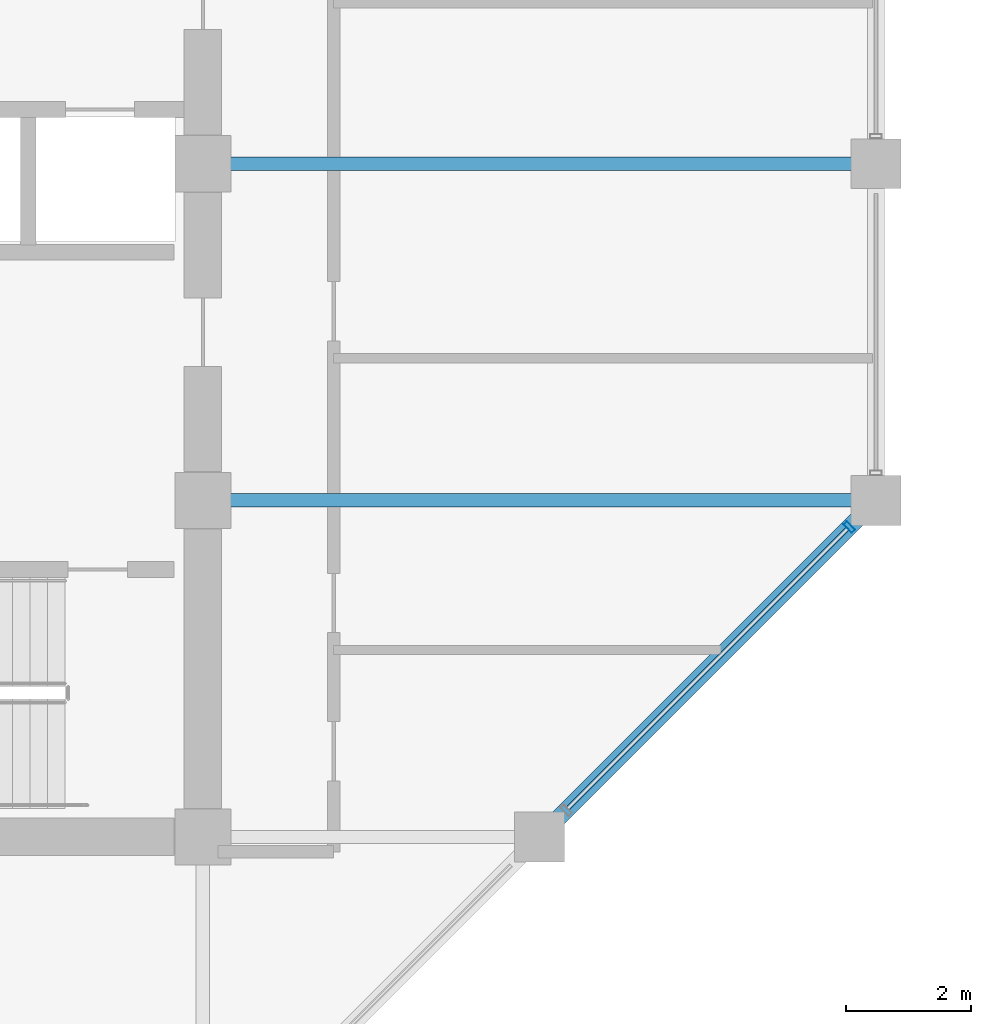
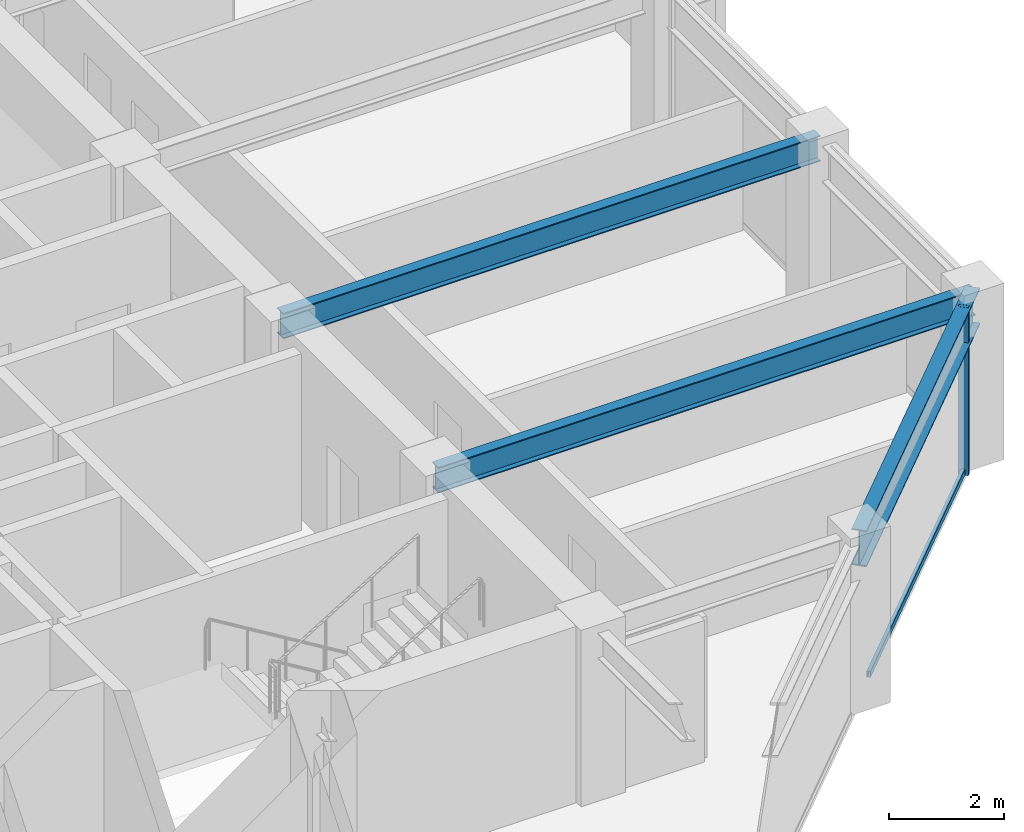
# One storey, part 13 of 32: 3 beams, 2 members, 1 element without a shape of its own.
"""IFC4 building model written with IfcOpenShell, lengths in metres."""

from ifc_helpers import new_model, si_unit, direction, frame, origin, origin_2d, place, context, subcontext, project, spatial, hollow_rectangle, i_section, extrude, material, layer, layer_set, material_profile, profile_set, type_object, element, aggregate, save


model = new_model("IFC4")

# Units and contexts
model_context = context("Model", 3, precision=1e-05, world=origin(), true_north=direction((0.0, 1.0)))
body_context = subcontext(model_context, "Body", "Model", "MODEL_VIEW")
ifc_project = project(units=[si_unit("LENGTHUNIT", "METRE"), si_unit("AREAUNIT", "SQUARE_METRE"), si_unit("VOLUMEUNIT", "CUBIC_METRE"), si_unit("PLANEANGLEUNIT", "RADIAN"), si_unit("MASSUNIT", "GRAM", prefix="KILO")], contexts=[model_context])

# Site, building, storey
site_placement = place(None, origin())
site = spatial("IfcSite", under=ifc_project, at=site_placement, CompositionType="ELEMENT")
building_placement = place(site_placement, origin())
building = spatial("IfcBuilding", under=site, at=building_placement, Name="Surkhivell Harbour Commons", CompositionType="ELEMENT")
storey_placement = place(building_placement, frame((0.0, 0.0, 234.75)))
storey = spatial("IfcBuildingStorey", under=building, at=storey_placement, Name="L61", CompositionType="ELEMENT", Elevation=234.75)

# Beams
ifc_material_1 = material(Name="Steel S355", Category="steel")
ifc_material_profile_1 = material_profile(ifc_material_1, i_section(OverallWidth=0.2119140625, OverallDepth=0.5439453125, WebThickness=0.0126953125, FlangeThickness=0.021240234375, at=origin_2d()), Name="UB533x210x122")
ifc_profile_set_1 = profile_set([ifc_material_profile_1], Name="Steel S355")
beam_type_1 = type_object("IfcBeamType", Name="BM-GRD-533A", PredefinedType="BEAM", material=ifc_profile_set_1)
for number, where, z_axis, x_axis, name in (
    (1, (10.800048828125, -5.39990234375, 3.298095703125), (1.0, 0.0, 0.0), (0.0, 1.0, 0.0), "L61 Floor Girder (10.8,-5.4)"),
    (2, (10.800048828125, 0.0, 3.298095703125), (1.0, 0.0, 0.0), (0.0, 1.0, 0.0), "L61 Floor Girder (10.8,0.0)"),
):
    element("IfcBeam", number, at=place(storey_placement, frame(where, z_axis=z_axis, x_axis=x_axis)), inside=storey, type_object=beam_type_1, Name=name, PredefinedType="BEAM", context=body_context, shape_type="SweptSolid", body=[
        extrude(i_section(OverallWidth=0.2119140625, OverallDepth=0.5439453125, WebThickness=0.0126953125, FlangeThickness=0.021240234375, at=origin_2d()), origin(), (0.0, 0.0, 1.0), 10.800048828125),
    ])
ifc_material_profile_2 = material_profile(ifc_material_1, i_section(OverallWidth=0.26806640625, OverallDepth=0.77001953125, WebThickness=0.015625, FlangeThickness=0.025390625, at=origin_2d()), Name="UB762x267x197")
ifc_profile_set_2 = profile_set([ifc_material_profile_2], Name="Steel S355")
beam_type_2 = type_object("IfcBeamType", Name="BM-SPN-762", PredefinedType="SPANDREL", material=ifc_profile_set_2)
beam_placement = place(storey_placement, frame((16.199951171875, -10.800048828125, 3.18505859375), z_axis=(0.707106781187, 0.707106781187, 0.0), x_axis=(-0.707106781187, 0.707106781187, 0.0)))
element("IfcBeam", 3, at=beam_placement, inside=storey, type_object=beam_type_2, Name="L61 Tube Spandrel (16.2,-10.8)", PredefinedType="SPANDREL", context=body_context, shape_type="SweptSolid", body=[
    extrude(i_section(OverallWidth=0.26806640625, OverallDepth=0.77001953125, WebThickness=0.015625, FlangeThickness=0.025390625, at=origin_2d()), origin(), (0.0, 0.0, 1.0), 7.636962890625),
])

# Curtain wall, members
ifc_material_2 = material(Name="Anodised pale-metal aluminium and insulated glazing", Category="aluminium")
ifc_layer = layer(ifc_material_2, 0.18994140625)
ifc_layer_set = layer_set([ifc_layer], Name="Anodised pale-metal aluminium and insulated glazing")
curtain_wall_type = type_object("IfcCurtainWallType", Name="CW-SYS-Z3", PredefinedType="NOTDEFINED", material=ifc_layer_set)
curtain_wall_placement = place(storey_placement, origin())
curtain_wall = element("IfcCurtainWall", 4, at=curtain_wall_placement, inside=storey, type_object=curtain_wall_type, Name="L61 Curtain Wall CW-L61-E01", PredefinedType="NOTDEFINED")
ifc_material_3 = material(Name="Anodised pale-metal aluminium alloy 6063-T6", Category="aluminium")
ifc_material_profile_3 = material_profile(ifc_material_3, hollow_rectangle(XDim=0.074951171875, YDim=0.18994140625, WallThickness=0.00390625, at=origin_2d()), Name="ALU-MULL-75x190")
ifc_profile_set_3 = profile_set([ifc_material_profile_3], Name="Anodised pale-metal aluminium alloy 6063-T6")
member_type_1 = type_object("IfcMemberType", Name="CWM-190", PredefinedType="MULLION", material=ifc_profile_set_3)
member_1_placement = place(storey_placement, frame((21.171875, -5.828125, 0.0), z_axis=(0.0, 0.0, 1.0), x_axis=(0.707106781187, 0.707106781187, 0.0)))
member_1 = element("IfcMember", 5, at=member_1_placement, type_object=member_type_1, Name="CW-Z3 mullion 4", PredefinedType="MULLION", context=body_context, shape_type="SweptSolid", body=[
    extrude(hollow_rectangle(XDim=0.074951171875, YDim=0.18994140625, WallThickness=0.00390625, at=origin_2d()), origin(), (0.0, 0.0, 1.0), 3.570068359375),
])
ifc_material_4 = material(Name="Champagne anodised aluminium alloy 6063-T6", Category="aluminium")
ifc_material_profile_4 = material_profile(ifc_material_4, hollow_rectangle(XDim=0.070068359375, YDim=0.1298828125, WallThickness=0.00341796875, at=origin_2d()), Name="ALU-TRAN-70x130")
ifc_profile_set_4 = profile_set([ifc_material_profile_4], Name="Champagne anodised aluminium alloy 6063-T6")
member_type_2 = type_object("IfcMemberType", Name="CWT-130", PredefinedType="USERDEFINED", material=ifc_profile_set_4)
member_2_placement = place(storey_placement, frame((16.65478515625, -10.34521484375, 0.06494140625), z_axis=(0.707106781187, 0.707106781187, 0.0), x_axis=(-0.707106781187, 0.707106781187, 0.0)))
member_2 = element("IfcMember", 6, at=member_2_placement, type_object=member_type_2, Name="CW-Z3 transom 3.1", ObjectType="TRANSOM", PredefinedType="USERDEFINED", context=body_context, shape_type="SweptSolid", body=[
    extrude(hollow_rectangle(XDim=0.070068359375, YDim=0.1298828125, WallThickness=0.00341796875, at=origin_2d()), origin(), (0.0, 0.0, 1.0), 6.3505859375),
])
aggregate(curtain_wall, [member_1, member_2])

save(model, "model.ifc")
